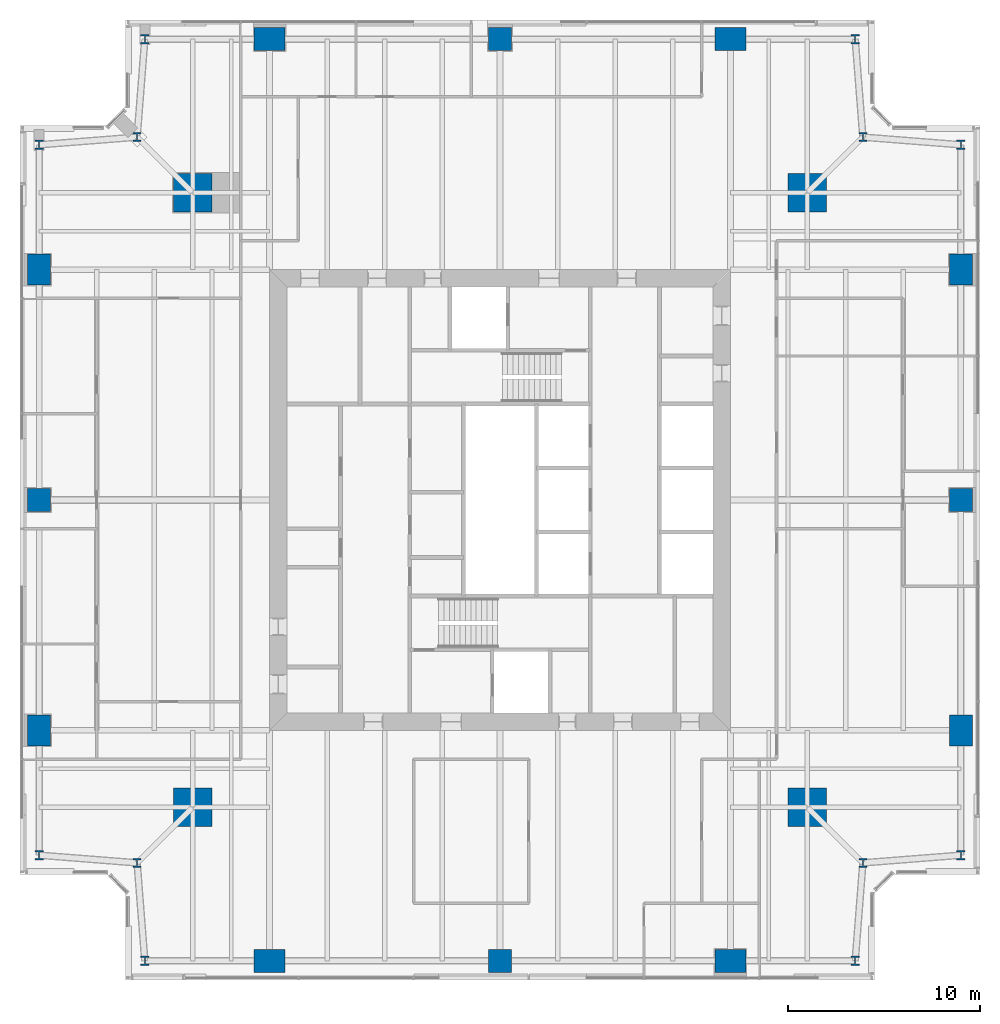
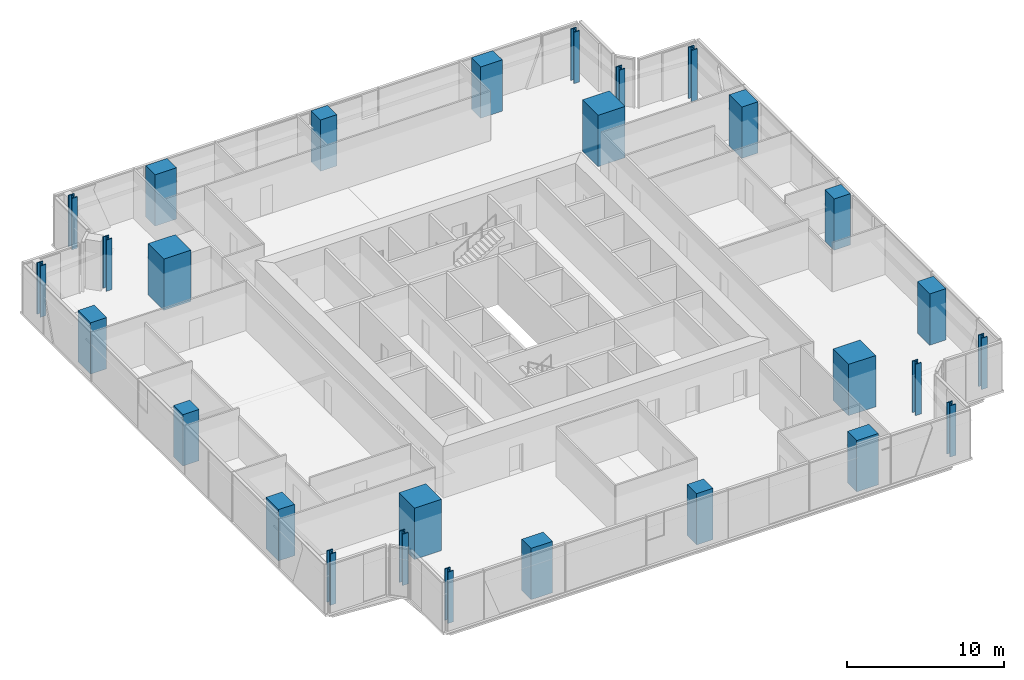
# One storey, part 1 of 16: 28 columns.
"""IFC4 building model written with IfcOpenShell, lengths in metres."""

from ifc_helpers import new_model, si_unit, direction, frame, origin, origin_2d, place, context, subcontext, project, spatial, rectangle, i_section, extrude, material, material_profile, profile_set, type_object, element, save


model = new_model("IFC4")

# Units and contexts
model_context = context("Model", 3, precision=1e-05, world=origin(), true_north=direction((0.0, 1.0)))
body_context = subcontext(model_context, "Body", "Model", "MODEL_VIEW")
ifc_project = project(units=[si_unit("LENGTHUNIT", "METRE"), si_unit("AREAUNIT", "SQUARE_METRE"), si_unit("VOLUMEUNIT", "CUBIC_METRE"), si_unit("PLANEANGLEUNIT", "RADIAN"), si_unit("MASSUNIT", "GRAM", prefix="KILO")], contexts=[model_context])

# Site, building, storey
site_placement = place(None, origin())
site = spatial("IfcSite", under=ifc_project, at=site_placement, CompositionType="ELEMENT")
building_placement = place(site_placement, origin())
building = spatial("IfcBuilding", under=site, at=building_placement, Name="Fenwick Lantern Interchange", CompositionType="ELEMENT")
storey_placement = place(building_placement, frame((0.0, 0.0, 181.800048828125)))
storey = spatial("IfcBuildingStorey", under=building, at=storey_placement, Name="L42", CompositionType="ELEMENT", Elevation=181.800048828125)

# Columns
ifc_material_1 = material(Name="Concrete f'c 70 MPa", Category="concrete")
ifc_material_profile_1 = material_profile(ifc_material_1, rectangle(XDim=2.0, YDim=2.0, at=origin_2d()), Name="RC2000X2000")
ifc_profile_set_1 = profile_set([ifc_material_profile_1], Name="Concrete f'c 70 MPa")
column_type_1 = type_object("IfcColumnType", Name="MEGA COLUMN RC2000X2000", PredefinedType="COLUMN", material=ifc_profile_set_1)
for number, where, z_axis, x_axis, name in (
    (1, (9.0, 9.0, 0.0), (0.0, 0.0, 1.0), (1.0, 0.0, 0.0), "L42/M1"),
    (2, (41.0, 9.0, 0.0), (0.0, 0.0, 1.0), (1.0, 0.0, 0.0), "L42/M2"),
    (3, (41.0, 41.0, 0.0), (0.0, 0.0, 1.0), (1.0, 0.0, 0.0), "L42/M3"),
    (4, (9.0, 41.0, 0.0), (0.0, 0.0, 1.0), (1.0, 0.0, 0.0), "L42/M4"),
):
    element("IfcColumn", number, at=place(storey_placement, frame(where, z_axis=z_axis, x_axis=x_axis)), inside=storey, type_object=column_type_1, Name=name, PredefinedType="COLUMN", context=body_context, shape_type="SweptSolid", body=[
        extrude(rectangle(XDim=2.0, YDim=2.0, at=origin_2d()), origin(), (0.0, 0.0, 1.0), 4.0),
    ])
ifc_material_profile_2 = material_profile(ifc_material_1, rectangle(XDim=1.199951171875, YDim=1.199951171875, at=origin_2d()), Name="RC1200X1200")
ifc_profile_set_2 = profile_set([ifc_material_profile_2], Name="Concrete f'c 70 MPa")
column_type_2 = type_object("IfcColumnType", Name="PERIMETER COLUMN RC1200X1200", PredefinedType="COLUMN", material=ifc_profile_set_2)
for number, where, z_axis, x_axis, name in (
    (5, (25.0, 1.0, 0.0), (0.0, 0.0, 1.0), (1.0, 0.0, 0.0), "L42/CS3"),
    (6, (49.0, 25.0, 0.0), (0.0, 0.0, 1.0), (1.0, 0.0, 0.0), "L42/CE3"),
    (7, (25.0, 49.0, 0.0), (0.0, 0.0, 1.0), (1.0, 0.0, 0.0), "L42/CN3"),
    (8, (1.0, 25.0, 0.0), (0.0, 0.0, 1.0), (1.0, 0.0, 0.0), "L42/CW3"),
):
    element("IfcColumn", number, at=place(storey_placement, frame(where, z_axis=z_axis, x_axis=x_axis)), inside=storey, type_object=column_type_2, Name=name, PredefinedType="COLUMN", context=body_context, shape_type="SweptSolid", body=[
        extrude(rectangle(XDim=1.199951171875, YDim=1.199951171875, at=origin_2d()), origin(), (0.0, 0.0, 1.0), 4.0),
    ])
ifc_material_profile_3 = material_profile(ifc_material_1, rectangle(XDim=1.199951171875, YDim=1.60009765625, at=origin_2d()), Name="RC1200X1600")
ifc_profile_set_3 = profile_set([ifc_material_profile_3], Name="Concrete f'c 70 MPa")
column_type_3 = type_object("IfcColumnType", Name="PERIMETER COLUMN RC1200X1600", PredefinedType="COLUMN", material=ifc_profile_set_3)
for number, where, z_axis, x_axis, name in (
    (9, (49.0, 13.0, 0.0), (0.0, 0.0, 1.0), (1.0, 0.0, 0.0), "L42/CE2"),
    (10, (49.0, 37.0, 0.0), (0.0, 0.0, 1.0), (1.0, 0.0, 0.0), "L42/CE4"),
    (11, (1.0, 37.0, 0.0), (0.0, 0.0, 1.0), (1.0, 0.0, 0.0), "L42/CW2"),
    (12, (1.0, 13.0, 0.0), (0.0, 0.0, 1.0), (1.0, 0.0, 0.0), "L42/CW4"),
):
    element("IfcColumn", number, at=place(storey_placement, frame(where, z_axis=z_axis, x_axis=x_axis)), inside=storey, type_object=column_type_3, Name=name, PredefinedType="COLUMN", context=body_context, shape_type="SweptSolid", body=[
        extrude(rectangle(XDim=1.199951171875, YDim=1.60009765625, at=origin_2d()), origin(), (0.0, 0.0, 1.0), 4.0),
    ])
ifc_material_profile_4 = material_profile(ifc_material_1, rectangle(XDim=1.60009765625, YDim=1.199951171875, at=origin_2d()), Name="RC1600X1200")
ifc_profile_set_4 = profile_set([ifc_material_profile_4], Name="Concrete f'c 70 MPa")
column_type_4 = type_object("IfcColumnType", Name="PERIMETER COLUMN RC1600X1200", PredefinedType="COLUMN", material=ifc_profile_set_4)
for number, where, z_axis, x_axis, name in (
    (13, (13.0, 1.0, 0.0), (0.0, 0.0, 1.0), (1.0, 0.0, 0.0), "L42/CS2"),
    (14, (37.0, 1.0, 0.0), (0.0, 0.0, 1.0), (1.0, 0.0, 0.0), "L42/CS4"),
    (15, (37.0, 49.0, 0.0), (0.0, 0.0, 1.0), (1.0, 0.0, 0.0), "L42/CN2"),
    (16, (13.0, 49.0, 0.0), (0.0, 0.0, 1.0), (1.0, 0.0, 0.0), "L42/CN4"),
):
    element("IfcColumn", number, at=place(storey_placement, frame(where, z_axis=z_axis, x_axis=x_axis)), inside=storey, type_object=column_type_4, Name=name, PredefinedType="COLUMN", context=body_context, shape_type="SweptSolid", body=[
        extrude(rectangle(XDim=1.60009765625, YDim=1.199951171875, at=origin_2d()), origin(), (0.0, 0.0, 1.0), 4.0),
    ])
ifc_material_2 = material(Name="Steel ASTM A992 Grade 50", Category="steel")
ifc_material_profile_5 = material_profile(ifc_material_2, i_section(OverallWidth=0.424072265625, OverallDepth=0.47509765625, WebThickness=0.0478515625, FlangeThickness=0.0771484375, at=origin_2d()), Name="W14X426")
ifc_profile_set_5 = profile_set([ifc_material_profile_5], Name="Steel ASTM A992 Grade 50")
column_type_5 = type_object("IfcColumnType", Name="PERIMETER COLUMN W14X426", PredefinedType="COLUMN", material=ifc_profile_set_5)
for number, where, z_axis, x_axis, name in (
    (17, (6.5, 1.0, 0.0), (0.0, 0.0, 1.0), (1.0, 0.0, 0.0), "L42/CS1"),
    (18, (43.5, 1.0, 0.0), (0.0, 0.0, 1.0), (1.0, 0.0, 0.0), "L42/CS5"),
    (19, (43.89990234375, 6.10009765625, 0.0), (0.0, 0.0, 1.0), (1.0, 0.0, 0.0), "L42/CSR"),
    (20, (49.0, 6.5, 0.0), (0.0, 0.0, 1.0), (1.0, 0.0, 0.0), "L42/CE1"),
    (21, (49.0, 43.5, 0.0), (0.0, 0.0, 1.0), (1.0, 0.0, 0.0), "L42/CE5"),
    (22, (43.89990234375, 43.89990234375, 0.0), (0.0, 0.0, 1.0), (1.0, 0.0, 0.0), "L42/CER"),
    (23, (43.5, 49.0, 0.0), (0.0, 0.0, 1.0), (1.0, 0.0, 0.0), "L42/CN1"),
    (24, (6.5, 49.0, 0.0), (0.0, 0.0, 1.0), (1.0, 0.0, 0.0), "L42/CN5"),
    (25, (6.10009765625, 43.89990234375, 0.0), (0.0, 0.0, 1.0), (1.0, 0.0, 0.0), "L42/CNR"),
    (26, (1.0, 43.5, 0.0), (0.0, 0.0, 1.0), (1.0, 0.0, 0.0), "L42/CW1"),
    (27, (1.0, 6.5, 0.0), (0.0, 0.0, 1.0), (1.0, 0.0, 0.0), "L42/CW5"),
    (28, (6.10009765625, 6.10009765625, 0.0), (0.0, 0.0, 1.0), (1.0, 0.0, 0.0), "L42/CWR"),
):
    element("IfcColumn", number, at=place(storey_placement, frame(where, z_axis=z_axis, x_axis=x_axis)), inside=storey, type_object=column_type_5, Name=name, PredefinedType="COLUMN", context=body_context, shape_type="SweptSolid", body=[
        extrude(i_section(OverallWidth=0.424072265625, OverallDepth=0.47509765625, WebThickness=0.0478515625, FlangeThickness=0.0771484375, at=origin_2d()), origin(), (0.0, 0.0, 1.0), 4.0),
    ])

save(model, "model.ifc")
